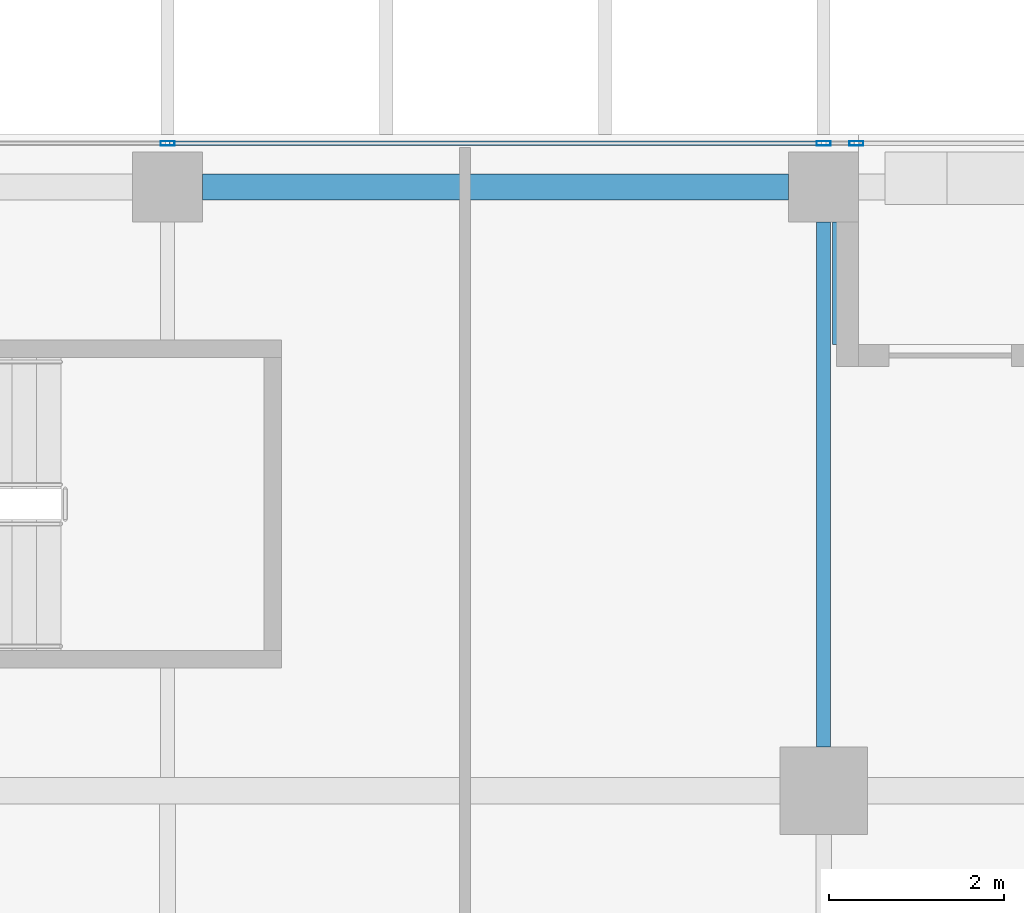
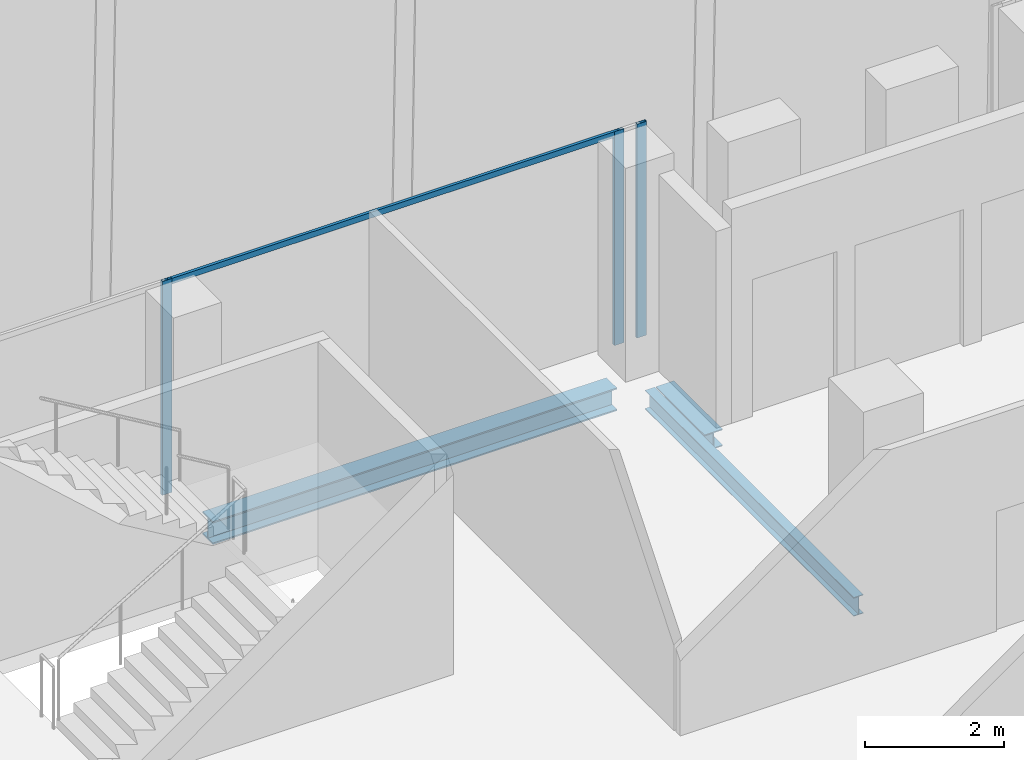
# One storey, part 16 of 32: 4 members, 3 beams, 1 element without a shape of its own.
"""IFC4 building model written with IfcOpenShell, lengths in metres."""

import ifcopenshell
import ifcopenshell.guid

model = None  # the IFC model being written
_history = None  # IfcOwnerHistory: only IFC2X3 demands one
_inside = {}  # id of a spatial element -> (the spatial element, [elements in it])
_under = {}  # id of a project, library or spatial element -> (it, [spatial elements below it])
_declared = {}  # id of a project -> (the project, [libraries it declares])
_typed = {}  # id of a type object -> (the type object, [elements of that type])
_made_of = {}  # id of a material, layer set ... -> (it, [elements and type objects made of it])


def new_model(schema):
    """Start an empty IFC model of exactly this schema.

    Asked for "IFC4X3", IfcOpenShell would pick the latest addendum, in which some entities
    have other attributes; the version numbers below select the first issue.
    IFC2X3 requires an IfcOwnerHistory on every rooted entity: one is made here for all.
    """
    global model, _history
    if schema == "IFC4X3":
        model = ifcopenshell.file(schema_version=(4, 3, 0, 0))
    else:
        model = ifcopenshell.file(schema=schema)
    _inside.clear()
    _under.clear()
    _declared.clear()
    _typed.clear()
    _made_of.clear()
    _history = None
    if model.schema == "IFC2X3":
        org = make("IfcOrganization", Name="unknown")
        user = make(
            "IfcPersonAndOrganization",
            ThePerson=make("IfcPerson", FamilyName="unknown"),
            TheOrganization=org,
        )
        app = make(
            "IfcApplication",
            ApplicationDeveloper=org,
            Version="unknown",
            ApplicationFullName="unknown",
            ApplicationIdentifier="unknown",
        )
        _history = make(
            "IfcOwnerHistory",
            OwningUser=user,
            OwningApplication=app,
            ChangeAction="ADDED",
            CreationDate=0,
        )
    return model


def make(cls, **values):
    """One entity of the class cls with the attributes given. An attribute that is None is left unset."""
    return model.create_entity(
        cls, **{name: value for name, value in values.items() if value is not None}
    )


def rooted(cls, **values):
    """An entity with a GlobalId (a new one), such as an element, a storey or a relation."""
    return make(cls, GlobalId=ifcopenshell.guid.new(), OwnerHistory=_history, **values)


def si_unit(unit_type, name, prefix=None):
    """IfcSIUnit, for example si_unit("LENGTHUNIT", "METRE", prefix="MILLI")."""
    return make("IfcSIUnit", UnitType=unit_type, Prefix=prefix, Name=name)


def assignment(units):
    """IfcUnitAssignment: the units of a project."""
    return None if units is None else make("IfcUnitAssignment", Units=units)


def point(xyz):
    """IfcCartesianPoint."""
    return None if xyz is None else make("IfcCartesianPoint", Coordinates=xyz)


def direction(xyz):
    """IfcDirection."""
    return None if xyz is None else make("IfcDirection", DirectionRatios=xyz)


def frame(location, z_axis=None, x_axis=None):
    """IfcAxis2Placement3D, a coordinate frame: its origin and axes. An axis left out is left unset."""
    return make(
        "IfcAxis2Placement3D",
        Location=point(location),
        Axis=direction(z_axis),
        RefDirection=direction(x_axis),
    )


def frame_2d(location, x_axis=None):
    """IfcAxis2Placement2D, a coordinate frame in the plane: its origin and x axis."""
    return make(
        "IfcAxis2Placement2D", Location=point(location), RefDirection=direction(x_axis)
    )


def origin():
    """The frame at (0, 0, 0) with its axes left unset."""
    return frame((0.0, 0.0, 0.0))


def origin_2d():
    """The frame at (0, 0) in the plane with its x axis left unset."""
    return frame_2d((0.0, 0.0))


def place(relative_to, where):
    """IfcLocalPlacement: puts the frame where relative to a parent placement (None: the world)."""
    return make(
        "IfcLocalPlacement", PlacementRelTo=relative_to, RelativePlacement=where
    )


def context(
    kind, dimensions, precision=None, world=None, true_north=None, identifier=None
):
    """IfcGeometricRepresentationContext, for example the 3D "Model" context."""
    return make(
        "IfcGeometricRepresentationContext",
        ContextIdentifier=identifier,
        ContextType=kind,
        CoordinateSpaceDimension=dimensions,
        Precision=precision,
        WorldCoordinateSystem=world,
        TrueNorth=true_north,
    )


def subcontext(parent, identifier, kind, view, scale=None):
    """IfcGeometricRepresentationSubContext, for example "Body" below "Model"."""
    return make(
        "IfcGeometricRepresentationSubContext",
        ContextIdentifier=identifier,
        ContextType=kind,
        ParentContext=parent,
        TargetScale=scale,
        TargetView=view,
    )


def project(units=None, contexts=None):
    """IfcProject with its units and contexts."""
    return rooted(
        "IfcProject",
        Name="project",
        RepresentationContexts=contexts,
        UnitsInContext=assignment(units),
    )


def spatial(cls, under=None, at=None, **own):
    """A site, building, storey or space (cls), placed at a placement, below another one or the project."""
    s = rooted(cls, ObjectPlacement=at, **own)
    if under is not None:
        _under.setdefault(under.id(), (under, []))[1].append(s)
    return s


def profile(cls, at=None, kind="AREA", **sizes):
    """A parametric profile (cls). Its sizes go by their IFC names, for example OverallWidth=200.0."""
    return make(cls, ProfileType=kind, Position=at, **sizes)


def hollow_rectangle(**sizes):
    """IfcRectangleHollowProfileDef."""
    return profile("IfcRectangleHollowProfileDef", **sizes)


def i_section(**sizes):
    """IfcIShapeProfileDef."""
    return profile("IfcIShapeProfileDef", **sizes)


def extrude(swept, where, along, depth):
    """IfcExtrudedAreaSolid: the profile swept, set in the frame where, extruded along a direction by depth."""
    return make(
        "IfcExtrudedAreaSolid",
        SweptArea=swept,
        Position=where,
        ExtrudedDirection=direction(along),
        Depth=depth,
    )


def shape(context_of_items, identifier, shape_type, items):
    """IfcShapeRepresentation: the items that make up one representation, for example the "Body"."""
    return make(
        "IfcShapeRepresentation",
        ContextOfItems=context_of_items,
        RepresentationIdentifier=identifier,
        RepresentationType=shape_type,
        Items=items,
    )


def source(mapping_origin, context_of_items, identifier, shape_type, items):
    """IfcRepresentationMap: a shape defined once, which mapped items show again and again."""
    return make(
        "IfcRepresentationMap",
        MappingOrigin=mapping_origin,
        MappedRepresentation=shape(context_of_items, identifier, shape_type, items),
    )


def transform(
    local_origin,
    x_axis=None,
    y_axis=None,
    z_axis=None,
    scale=None,
    scale2=None,
    scale3=None,
    uniform=True,
):
    """IfcCartesianTransformationOperator3D, or its non-uniform kind. x_axis, y_axis, z_axis: its Axis1, 2, 3."""
    if uniform:
        return make(
            "IfcCartesianTransformationOperator3D",
            Axis1=direction(x_axis),
            Axis2=direction(y_axis),
            LocalOrigin=point(local_origin),
            Scale=scale,
            Axis3=direction(z_axis),
        )
    return make(
        "IfcCartesianTransformationOperator3DnonUniform",
        Axis1=direction(x_axis),
        Axis2=direction(y_axis),
        LocalOrigin=point(local_origin),
        Scale=scale,
        Axis3=direction(z_axis),
        Scale2=scale2,
        Scale3=scale3,
    )


def mapped(mapping_source, mapping_target):
    """IfcMappedItem: shows the shape of a source again, moved by a transform."""
    return make(
        "IfcMappedItem", MappingSource=mapping_source, MappingTarget=mapping_target
    )


def material(Name=None, Category=None):
    """IfcMaterial."""
    return make("IfcMaterial", Name=Name, Category=Category)


def material_profile(
    of_material, cross_section, Name=None, Category=None, Priority=None
):
    """IfcMaterialProfile: a cross section and its material."""
    return make(
        "IfcMaterialProfile",
        Name=Name,
        Material=of_material,
        Profile=cross_section,
        Priority=Priority,
        Category=Category,
    )


def profile_set(profiles, Name=None, composite=None):
    """IfcMaterialProfileSet."""
    return make(
        "IfcMaterialProfileSet",
        Name=Name,
        MaterialProfiles=profiles,
        CompositeProfile=composite,
    )


def made_of(thing, what):
    """Note that an element or type object is made of a material, layer set ...; save() writes the relation."""
    if what is not None:
        _made_of.setdefault(what.id(), (what, []))[1].append(thing)
    return thing


def type_object(cls, material=None, **own):
    """A type object (cls), such as IfcWallType, which elements share."""
    return made_of(rooted(cls, **own), material)


def element(
    cls,
    number,
    at=None,
    inside=None,
    cuts=None,
    type_object=None,
    material=None,
    context=None,
    identifier="Body",
    shape_type=None,
    held_by="IfcProductDefinitionShape",
    body=None,
    shapes=None,
    **own,
):
    """One element of the class cls, such as IfcWall. Its Tag is "e" and its number.

    at: its placement. inside: the storey or other place that contains it. cuts: it is an
    opening in that element (IfcRelVoidsElement). A single representation is given by context,
    identifier, shape_type and body (its items); several are given by shapes. held_by: the class
    of the entity that holds the representations. save() writes the other relations.
    """
    e = rooted(cls, Tag="e%d" % number, ObjectPlacement=at, **own)
    if body is not None:
        shapes = [shape(context, identifier, shape_type, body)]
    if shapes is not None:
        e.Representation = make(held_by, Representations=shapes)
    if inside is not None:
        _inside.setdefault(inside.id(), (inside, []))[1].append(e)
    if cuts is not None:
        rooted(
            "IfcRelVoidsElement", RelatingBuildingElement=cuts, RelatedOpeningElement=e
        )
    if type_object is not None:
        _typed.setdefault(type_object.id(), (type_object, []))[1].append(e)
    return made_of(e, material)


def aggregate(whole, parts):
    """IfcRelAggregates: a whole, such as a stair, and the parts it consists of."""
    return rooted("IfcRelAggregates", RelatingObject=whole, RelatedObjects=parts)


def save(model, path):
    """Write the relations noted so far, then the file.

    IfcRelAggregates (storeys below a building ...), IfcRelContainedInSpatialStructure (elements
    in a storey), IfcRelDefinesByType, IfcRelAssociatesMaterial and IfcRelDeclares: one each for
    every whole, place, type object, material and project.
    """
    for whole, parts in _under.values():
        aggregate(whole, parts)
    for where, things in _inside.values():
        rooted(
            "IfcRelContainedInSpatialStructure",
            RelatedElements=things,
            RelatingStructure=where,
        )
    for kind, things in _typed.values():
        rooted("IfcRelDefinesByType", RelatedObjects=things, RelatingType=kind)
    for what, things in _made_of.values():
        rooted("IfcRelAssociatesMaterial", RelatedObjects=things, RelatingMaterial=what)
    for by, libraries in _declared.values():
        rooted("IfcRelDeclares", RelatingContext=by, RelatedDefinitions=libraries)
    model.write(path)


model = new_model("IFC4")

# Units and contexts
model_context = context("Model", 3, precision=1e-05, world=origin(), true_north=direction((0.0, 1.0)))
body_context = subcontext(model_context, "Body", "Model", "MODEL_VIEW")
ifc_project = project(units=[si_unit("LENGTHUNIT", "METRE"), si_unit("AREAUNIT", "SQUARE_METRE"), si_unit("VOLUMEUNIT", "CUBIC_METRE"), si_unit("PLANEANGLEUNIT", "RADIAN"), si_unit("MASSUNIT", "GRAM", prefix="KILO")], contexts=[model_context])

# Site, building, storey
site_placement = place(None, origin())
site = spatial("IfcSite", under=ifc_project, at=site_placement, CompositionType="ELEMENT")
building_placement = place(site_placement, origin())
building = spatial("IfcBuilding", under=site, at=building_placement, Name="Khomas Fold Tower", CompositionType="ELEMENT")
storey_placement = place(building_placement, frame((0.0, 0.0, 306.199951171875)))
storey = spatial("IfcBuildingStorey", under=building, at=storey_placement, Name="L69", CompositionType="ELEMENT", Elevation=306.199951171875)

# Beams
ifc_material_1 = material(Name="Steel S355", Category="steel")
ifc_material_profile_1 = material_profile(ifc_material_1, i_section(OverallWidth=0.300048828125, OverallDepth=0.39990234375, WebThickness=0.013427734375, FlangeThickness=0.02392578125, at=origin_2d()), Name="HE 400 B")
ifc_profile_set_1 = profile_set([ifc_material_profile_1], Name="Steel S355")
beam_type_1 = type_object("IfcBeamType", Name="HE 400 B spandrel SB5", PredefinedType="SPANDREL", material=ifc_profile_set_1)
shared_shape_1 = source(origin(), body_context, "Body", "SweptSolid", [
    extrude(i_section(OverallWidth=0.300048828125, OverallDepth=0.39990234375, WebThickness=0.013427734375, FlangeThickness=0.02392578125, at=origin_2d()), origin(), (0.0, 0.0, 1.0), 6.7001953125),
])
beam_1_placement = place(storey_placement, frame((27.39990234375, 47.39990234375, -0.449951171875), z_axis=(1.0, 0.0, 0.0), x_axis=(0.0, 1.0, 0.0)))
element("IfcBeam", 1, at=beam_1_placement, inside=storey, type_object=beam_type_1, Name="SB5", PredefinedType="SPANDREL", context=body_context, shape_type="MappedRepresentation", body=[
    mapped(shared_shape_1, transform((0.0, 0.0, 0.0))),
])
ifc_material_2 = material(Name="Steel S355", Category="steel")
ifc_material_profile_2 = material_profile(ifc_material_2, i_section(OverallWidth=0.159912109375, OverallDepth=0.330078125, WebThickness=0.007568359375, FlangeThickness=0.011474609375, at=origin_2d()), Name="IPE 330")
ifc_profile_set_2 = profile_set([ifc_material_profile_2], Name="Steel S355")
beam_type_2 = type_object("IfcBeamType", Name="IPE 330 beam JB1", PredefinedType="BEAM", material=ifc_profile_set_2)
shared_shape_2 = source(origin(), body_context, "Body", "SweptSolid", [
    extrude(i_section(OverallWidth=0.159912109375, OverallDepth=0.330078125, WebThickness=0.007568359375, FlangeThickness=0.011474609375, at=origin_2d()), origin(), (0.0, 0.0, 1.0), 6.0),
])
beam_2_placement = place(storey_placement, frame((34.5, 41.0, -0.4150390625), z_axis=(0.0, 1.0, 0.0), x_axis=(-1.0, 0.0, 0.0)))
element("IfcBeam", 2, at=beam_2_placement, inside=storey, type_object=beam_type_2, Name="JB1", PredefinedType="BEAM", context=body_context, shape_type="MappedRepresentation", body=[
    mapped(shared_shape_2, transform((0.0, 0.0, 0.0))),
])
ifc_material_3 = material(Name="Steel S355", Category="steel")
ifc_material_profile_3 = material_profile(ifc_material_3, i_section(OverallWidth=0.300048828125, OverallDepth=0.300048828125, WebThickness=0.010986328125, FlangeThickness=0.01904296875, at=origin_2d()), Name="HE 300 B")
ifc_profile_set_3 = profile_set([ifc_material_profile_3], Name="Steel S355")
beam_type_3 = type_object("IfcBeamType", Name="HE 300 B beam BB1", PredefinedType="BEAM", material=ifc_profile_set_3)
shared_shape_3 = source(origin(), body_context, "Body", "SweptSolid", [
    extrude(i_section(OverallWidth=0.300048828125, OverallDepth=0.300048828125, WebThickness=0.010986328125, FlangeThickness=0.01904296875, at=origin_2d()), origin(), (0.0, 0.0, 1.0), 1.39990234375),
])
beam_3_placement = place(storey_placement, frame((34.75, 45.60009765625, -0.39990234375), z_axis=(0.0, 1.0, 0.0), x_axis=(-1.0, 0.0, 0.0)))
element("IfcBeam", 3, at=beam_3_placement, inside=storey, type_object=beam_type_3, Name="BB1", PredefinedType="BEAM", context=body_context, shape_type="MappedRepresentation", body=[
    mapped(shared_shape_3, transform((0.0, 0.0, 0.0))),
])

# Curtain wall, members
ifc_material_4 = material(Name="Aluminium framed double glazing", Category="aluminium")
curtain_wall_type = type_object("IfcCurtainWallType", Name="SK-Unitised clear-glass wall, upper floors CW3", PredefinedType="NOTDEFINED", material=ifc_material_4)
curtain_wall_placement = place(storey_placement, origin())
curtain_wall = element("IfcCurtainWall", 4, at=curtain_wall_placement, inside=storey, type_object=curtain_wall_type, Name="CW3 run L69 06-1", PredefinedType="NOTDEFINED")
ifc_material_5 = material(Name="Aluminium", Category="aluminium")
ifc_material_profile_4 = material_profile(ifc_material_5, hollow_rectangle(XDim=0.050048828125, YDim=0.159912109375, WallThickness=0.00390625, at=origin_2d()), Name="SK-Unitised clear-glass wall, upper floors mullion CW3-M")
ifc_profile_set_4 = profile_set([ifc_material_profile_4], Name="Aluminium")
member_type_1 = type_object("IfcMemberType", Name="SK-Unitised clear-glass wall, upper floors mullion CW3-M", PredefinedType="MULLION", material=ifc_profile_set_4)
shared_shape_4 = source(origin(), body_context, "Body", "SweptSolid", [
    extrude(hollow_rectangle(XDim=0.050048828125, YDim=0.159912109375, WallThickness=0.00390625, at=origin_2d()), origin(), (0.0, 0.0, 1.0), 3.75),
])
member_1_placement = place(storey_placement, frame((34.875, 47.89990234375, 0.0), z_axis=(0.0, 0.0, 1.0), x_axis=(0.0, -1.0, 0.0)))
member_1 = element("IfcMember", 5, at=member_1_placement, type_object=member_type_1, Name="CW3 mullion 1", PredefinedType="MULLION", context=body_context, shape_type="MappedRepresentation", body=[
    mapped(shared_shape_4, transform((0.0, 0.0, 0.0))),
])
member_2_placement = place(storey_placement, frame((34.5, 47.89990234375, 0.0), z_axis=(0.0, 0.0, 1.0), x_axis=(0.0, -1.0, 0.0)))
member_2 = element("IfcMember", 6, at=member_2_placement, type_object=member_type_1, Name="CW3 mullion 2", PredefinedType="MULLION", context=body_context, shape_type="MappedRepresentation", body=[
    mapped(shared_shape_4, transform((0.0, 0.0, 0.0))),
])
member_3_placement = place(storey_placement, frame((27.0, 47.89990234375, 0.0), z_axis=(0.0, 0.0, 1.0), x_axis=(0.0, -1.0, 0.0)))
member_3 = element("IfcMember", 7, at=member_3_placement, type_object=member_type_1, Name="CW3 mullion 3", PredefinedType="MULLION", context=body_context, shape_type="MappedRepresentation", body=[
    mapped(shared_shape_4, transform((0.0, 0.0, 0.0))),
])
ifc_material_6 = material(Name="Aluminium", Category="aluminium")
ifc_material_profile_5 = material_profile(ifc_material_6, hollow_rectangle(XDim=0.050048828125, YDim=0.10009765625, WallThickness=0.00390625, at=origin_2d()), Name="SK-Unitised clear-glass wall, upper floors transom CW3-T")
ifc_profile_set_5 = profile_set([ifc_material_profile_5], Name="Aluminium")
member_type_2 = type_object("IfcMemberType", Name="SK-Unitised clear-glass wall, upper floors transom CW3-T", PredefinedType="USERDEFINED", material=ifc_profile_set_5)
shared_shape_5 = source(origin(), body_context, "Body", "SweptSolid", [
    extrude(hollow_rectangle(XDim=0.050048828125, YDim=0.10009765625, WallThickness=0.00390625, at=origin_2d()), origin(), (0.0, 0.0, 1.0), 7.4501953125),
])
member_4_placement = place(storey_placement, frame((34.47509765625, 47.89990234375, 3.699951171875), z_axis=(-1.0, 0.0, 0.0), x_axis=(0.0, -1.0, 0.0)))
member_4 = element("IfcMember", 8, at=member_4_placement, type_object=member_type_2, Name="CW3 transom 2", ObjectType="TRANSOM", PredefinedType="USERDEFINED", context=body_context, shape_type="MappedRepresentation", body=[
    mapped(shared_shape_5, transform((0.0, 0.0, 0.0))),
])
aggregate(curtain_wall, [member_1, member_2, member_3, member_4])

save(model, "model.ifc")
